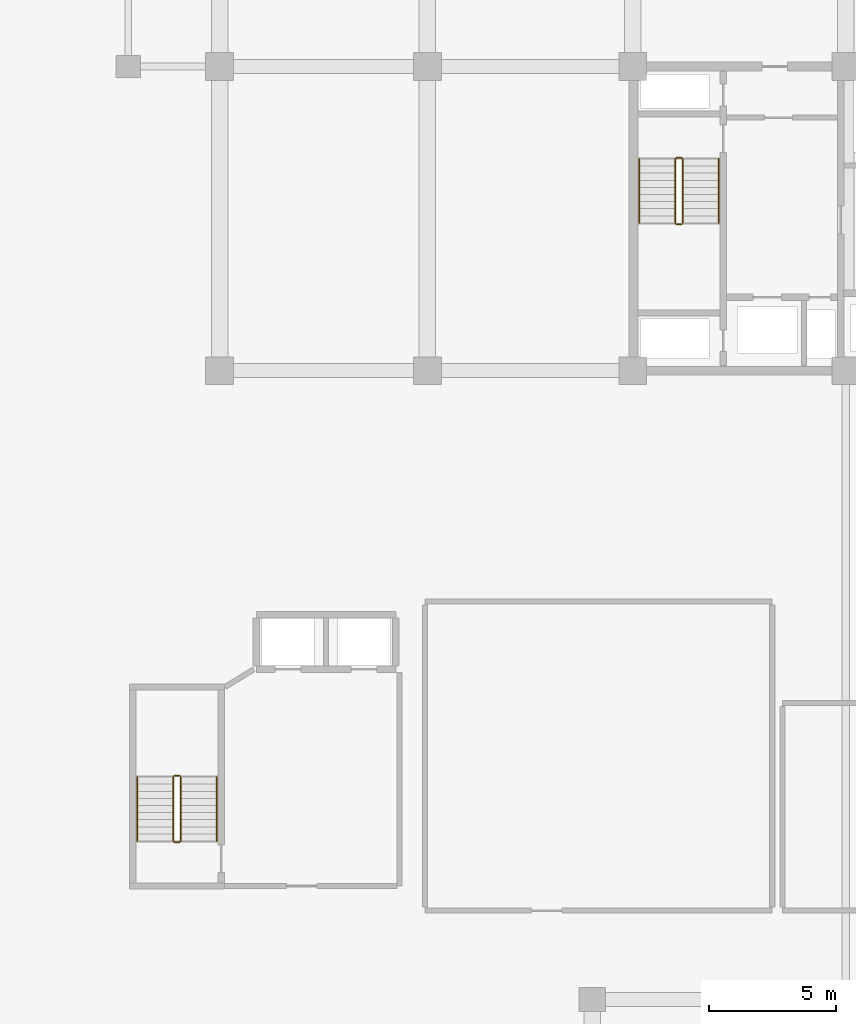
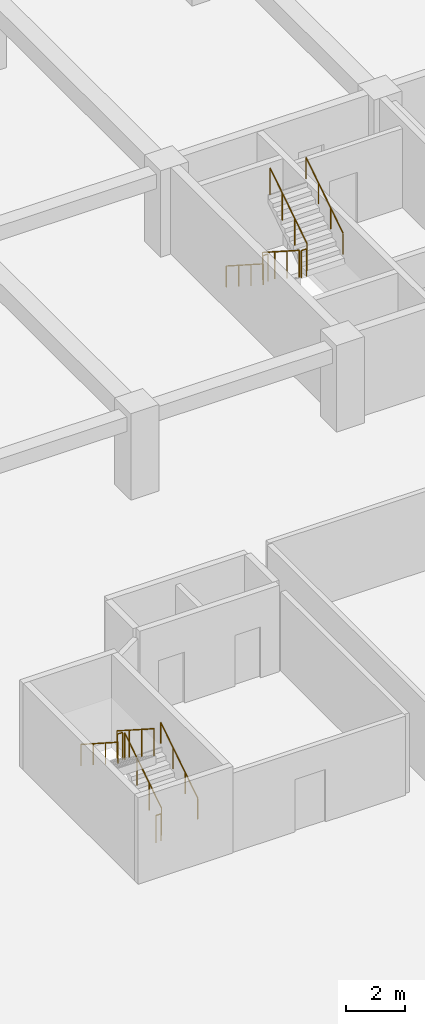
# One storey, part 18 of 23: 12 railings.
"""IFC4 building model written with IfcOpenShell, lengths in metres."""

from ifc_helpers import new_model, si_unit, direction, frame, origin, origin_2d, place, context, subcontext, project, spatial, circle, extrude, material, type_object, element, save


model = new_model("IFC4")

# Units and contexts
model_context = context("Model", 3, precision=1e-05, world=origin(), true_north=direction((0.0, 1.0)))
body_context = subcontext(model_context, "Body", "Model", "MODEL_VIEW")
ifc_project = project(units=[si_unit("LENGTHUNIT", "METRE"), si_unit("AREAUNIT", "SQUARE_METRE"), si_unit("VOLUMEUNIT", "CUBIC_METRE"), si_unit("PLANEANGLEUNIT", "RADIAN"), si_unit("MASSUNIT", "GRAM", prefix="KILO")], contexts=[model_context])

# Site, building, storey
site_placement = place(None, origin())
site = spatial("IfcSite", under=ifc_project, at=site_placement, CompositionType="ELEMENT")
building_placement = place(site_placement, origin())
building = spatial("IfcBuilding", under=site, at=building_placement, Name="Korimba Cascade Residences", CompositionType="ELEMENT")
storey_placement = place(building_placement, frame((0.0, 0.0, -3.60009765625)))
storey = spatial("IfcBuildingStorey", under=building, at=storey_placement, Name="B01", CompositionType="ELEMENT", Elevation=-3.60009765625)

# Railings
ifc_material_1 = material(Name="Painted Steel Stairwell Guardrail", Category="steel")
railing_type_1 = type_object("IfcRailingType", Name="RLG-ST-GD1150", PredefinedType="GUARDRAIL", material=ifc_material_1)
railing_1_placement = place(storey_placement, frame((77.77001953125, 63.550048828125, 0.18017578125)))
element("IfcRailing", 1, at=railing_1_placement, inside=storey, type_object=railing_type_1, Name="B01 ST-W1 stair guard 1", PredefinedType="GUARDRAIL", context=body_context, shape_type="SweptSolid", body=[
    extrude(circle(Radius=0.02392578125, at=origin_2d()), frame((0.0, 0.0, 1.1259765625), z_axis=(0.0, -0.841199657755, 0.540724639528), x_axis=(1.0, 0.0, 0.0)), (0.0, 0.0, 1.0), 2.995849609375),
    extrude(circle(Radius=0.02099609375, at=origin_2d()), origin(), (0.0, 0.0, 1.0), 1.101806640625),
    extrude(circle(Radius=0.02099609375, at=origin_2d()), frame((0.0, -0.840087890625, 0.5400390625)), (0.0, 0.0, 1.0), 1.101806640625),
    extrude(circle(Radius=0.02099609375, at=origin_2d()), frame((0.0, -1.679931640625, 1.079833984375)), (0.0, 0.0, 1.0), 1.101806640625),
    extrude(circle(Radius=0.02099609375, at=origin_2d()), frame((0.0, -2.52001953125, 1.619873046875)), (0.0, 0.0, 1.0), 1.101806640625),
])
railing_2_placement = place(storey_placement, frame((77.820068359375, 60.97998046875, 1.800048828125)))
element("IfcRailing", 2, at=railing_2_placement, inside=storey, type_object=railing_type_1, Name="B01 ST-W1 stair guard 2", PredefinedType="GUARDRAIL", context=body_context, shape_type="SweptSolid", body=[
    extrude(circle(Radius=0.02392578125, at=origin_2d()), frame((0.0, 0.0, 1.1259765625), z_axis=(1.0, 0.0, 0.0), x_axis=(0.0, 1.0, 0.0)), (0.0, 0.0, 1.0), 0.199951171875),
    extrude(circle(Radius=0.02099609375, at=origin_2d()), origin(), (0.0, 0.0, 1.0), 1.101806640625),
    extrude(circle(Radius=0.02099609375, at=origin_2d()), frame((0.199951171875, 0.0, 0.0)), (0.0, 0.0, 1.0), 1.101806640625),
])
railing_3_placement = place(storey_placement, frame((78.070068359375, 61.030029296875, 1.97998046875)))
element("IfcRailing", 3, at=railing_3_placement, inside=storey, type_object=railing_type_1, Name="B01 ST-W1 stair guard 3", PredefinedType="GUARDRAIL", context=body_context, shape_type="SweptSolid", body=[
    extrude(circle(Radius=0.02392578125, at=origin_2d()), frame((0.0, 0.0, 1.1259765625), z_axis=(0.0, 0.841162588446, 0.540782303519), x_axis=(-1.0, 0.0, 0.0)), (0.0, 0.0, 1.0), 2.995849609375),
    extrude(circle(Radius=0.02099609375, at=origin_2d()), origin(), (0.0, 0.0, 1.0), 1.101806640625),
    extrude(circle(Radius=0.02099609375, at=origin_2d()), frame((0.0, 0.840087890625, 0.5400390625)), (0.0, 0.0, 1.0), 1.101806640625),
    extrude(circle(Radius=0.02099609375, at=origin_2d()), frame((0.0, 1.679931640625, 1.080078125)), (0.0, 0.0, 1.0), 1.101806640625),
    extrude(circle(Radius=0.02099609375, at=origin_2d()), frame((0.0, 2.52001953125, 1.6201171875)), (0.0, 0.0, 1.0), 1.101806640625),
])
railing_4_placement = place(storey_placement, frame((77.820068359375, 63.60009765625, 0.0)))
element("IfcRailing", 4, at=railing_4_placement, inside=storey, type_object=railing_type_1, Name="B01 ST-W1 stair guard 4", PredefinedType="GUARDRAIL", context=body_context, shape_type="SweptSolid", body=[
    extrude(circle(Radius=0.02392578125, at=origin_2d()), frame((0.0, 0.0, 1.1259765625), z_axis=(1.0, 0.0, 0.0), x_axis=(0.0, 1.0, 0.0)), (0.0, 0.0, 1.0), 0.199951171875),
    extrude(circle(Radius=0.02099609375, at=origin_2d()), origin(), (0.0, 0.0, 1.0), 1.101806640625),
    extrude(circle(Radius=0.02099609375, at=origin_2d()), frame((0.199951171875, 0.0, 0.0)), (0.0, 0.0, 1.0), 1.101806640625),
])
railing_5_placement = place(storey_placement, frame((58.27001953125, 36.64990234375, 0.18017578125)))
element("IfcRailing", 5, at=railing_5_placement, inside=storey, type_object=railing_type_1, Name="B01 ST-P1 stair guard 1", PredefinedType="GUARDRAIL", context=body_context, shape_type="SweptSolid", body=[
    extrude(circle(Radius=0.02392578125, at=origin_2d()), frame((0.0, 0.0, 1.1259765625), z_axis=(0.0, 0.841199657755, 0.540724639528), x_axis=(-1.0, 0.0, 0.0)), (0.0, 0.0, 1.0), 2.995849609375),
    extrude(circle(Radius=0.02099609375, at=origin_2d()), origin(), (0.0, 0.0, 1.0), 1.101806640625),
    extrude(circle(Radius=0.02099609375, at=origin_2d()), frame((0.0, 0.840087890625, 0.5400390625)), (0.0, 0.0, 1.0), 1.101806640625),
    extrude(circle(Radius=0.02099609375, at=origin_2d()), frame((0.0, 1.679931640625, 1.079833984375)), (0.0, 0.0, 1.0), 1.101806640625),
    extrude(circle(Radius=0.02099609375, at=origin_2d()), frame((0.0, 2.52001953125, 1.619873046875)), (0.0, 0.0, 1.0), 1.101806640625),
])
railing_6_placement = place(storey_placement, frame((58.219970703125, 39.219970703125, 1.800048828125)))
element("IfcRailing", 6, at=railing_6_placement, inside=storey, type_object=railing_type_1, Name="B01 ST-P1 stair guard 2", PredefinedType="GUARDRAIL", context=body_context, shape_type="SweptSolid", body=[
    extrude(circle(Radius=0.02392578125, at=origin_2d()), frame((0.0, 0.0, 1.1259765625), z_axis=(-1.0, 0.0, 0.0), x_axis=(0.0, -1.0, 0.0)), (0.0, 0.0, 1.0), 0.199951171875),
    extrude(circle(Radius=0.02099609375, at=origin_2d()), origin(), (0.0, 0.0, 1.0), 1.101806640625),
    extrude(circle(Radius=0.02099609375, at=origin_2d()), frame((-0.199951171875, 0.0, 0.0)), (0.0, 0.0, 1.0), 1.101806640625),
])
railing_7_placement = place(storey_placement, frame((57.969970703125, 39.169921875, 1.97998046875)))
element("IfcRailing", 7, at=railing_7_placement, inside=storey, type_object=railing_type_1, Name="B01 ST-P1 stair guard 3", PredefinedType="GUARDRAIL", context=body_context, shape_type="SweptSolid", body=[
    extrude(circle(Radius=0.02392578125, at=origin_2d()), frame((0.0, 0.0, 1.1259765625), z_axis=(0.0, -0.841162588446, 0.540782303519), x_axis=(1.0, 0.0, 0.0)), (0.0, 0.0, 1.0), 2.995849609375),
    extrude(circle(Radius=0.02099609375, at=origin_2d()), origin(), (0.0, 0.0, 1.0), 1.101806640625),
    extrude(circle(Radius=0.02099609375, at=origin_2d()), frame((0.0, -0.840087890625, 0.5400390625)), (0.0, 0.0, 1.0), 1.101806640625),
    extrude(circle(Radius=0.02099609375, at=origin_2d()), frame((0.0, -1.679931640625, 1.080078125)), (0.0, 0.0, 1.0), 1.101806640625),
    extrude(circle(Radius=0.02099609375, at=origin_2d()), frame((0.0, -2.52001953125, 1.6201171875)), (0.0, 0.0, 1.0), 1.101806640625),
])
railing_8_placement = place(storey_placement, frame((58.219970703125, 36.60009765625, 0.0)))
element("IfcRailing", 8, at=railing_8_placement, inside=storey, type_object=railing_type_1, Name="B01 ST-P1 stair guard 4", PredefinedType="GUARDRAIL", context=body_context, shape_type="SweptSolid", body=[
    extrude(circle(Radius=0.02392578125, at=origin_2d()), frame((0.0, 0.0, 1.1259765625), z_axis=(-1.0, 0.0, 0.0), x_axis=(0.0, -1.0, 0.0)), (0.0, 0.0, 1.0), 0.199951171875),
    extrude(circle(Radius=0.02099609375, at=origin_2d()), origin(), (0.0, 0.0, 1.0), 1.101806640625),
    extrude(circle(Radius=0.02099609375, at=origin_2d()), frame((-0.199951171875, 0.0, 0.0)), (0.0, 0.0, 1.0), 1.101806640625),
])
ifc_material_2 = material(Name="Brushed Stainless Steel Handrail", Category="steel")
railing_type_2 = type_object("IfcRailingType", Name="RLG-ST-HR900", PredefinedType="HANDRAIL", material=ifc_material_2)
railing_9_placement = place(storey_placement, frame((76.35009765625, 63.550048828125, 0.364013671875)))
element("IfcRailing", 9, at=railing_9_placement, inside=storey, type_object=railing_type_2, Name="B01 ST-W1 stair handrail 1", PredefinedType="HANDRAIL", context=body_context, shape_type="SweptSolid", body=[
    extrude(circle(Radius=0.02392578125, at=origin_2d()), frame((0.0, 0.0, 0.8759765625), z_axis=(0.0, -0.841199657755, 0.540724639528), x_axis=(1.0, 0.0, 0.0)), (0.0, 0.0, 1.0), 2.995849609375),
    extrude(circle(Radius=0.02099609375, at=origin_2d()), origin(), (0.0, 0.0, 1.0), 0.851806640625),
    extrude(circle(Radius=0.02099609375, at=origin_2d()), frame((0.0, -0.840087890625, 0.5400390625)), (0.0, 0.0, 1.0), 0.851806640625),
    extrude(circle(Radius=0.02099609375, at=origin_2d()), frame((0.0, -1.679931640625, 1.079833984375)), (0.0, 0.0, 1.0), 0.851806640625),
    extrude(circle(Radius=0.02099609375, at=origin_2d()), frame((0.0, -2.52001953125, 1.619873046875)), (0.0, 0.0, 1.0), 0.851806640625),
])
railing_10_placement = place(storey_placement, frame((79.489990234375, 61.030029296875, 2.163818359375)))
element("IfcRailing", 10, at=railing_10_placement, inside=storey, type_object=railing_type_2, Name="B01 ST-W1 stair handrail 2", PredefinedType="HANDRAIL", context=body_context, shape_type="SweptSolid", body=[
    extrude(circle(Radius=0.02392578125, at=origin_2d()), frame((0.0, 0.0, 0.8759765625), z_axis=(0.0, 0.841162588446, 0.540782303519), x_axis=(-1.0, 0.0, 0.0)), (0.0, 0.0, 1.0), 2.995849609375),
    extrude(circle(Radius=0.02099609375, at=origin_2d()), origin(), (0.0, 0.0, 1.0), 0.851806640625),
    extrude(circle(Radius=0.02099609375, at=origin_2d()), frame((0.0, 0.840087890625, 0.5400390625)), (0.0, 0.0, 1.0), 0.851806640625),
    extrude(circle(Radius=0.02099609375, at=origin_2d()), frame((0.0, 1.679931640625, 1.080078125)), (0.0, 0.0, 1.0), 0.851806640625),
    extrude(circle(Radius=0.02099609375, at=origin_2d()), frame((0.0, 2.52001953125, 1.6201171875)), (0.0, 0.0, 1.0), 0.851806640625),
])
railing_11_placement = place(storey_placement, frame((59.68994140625, 36.64990234375, 0.364013671875)))
element("IfcRailing", 11, at=railing_11_placement, inside=storey, type_object=railing_type_2, Name="B01 ST-P1 stair handrail 1", PredefinedType="HANDRAIL", context=body_context, shape_type="SweptSolid", body=[
    extrude(circle(Radius=0.02392578125, at=origin_2d()), frame((0.0, 0.0, 0.8759765625), z_axis=(0.0, 0.841199657755, 0.540724639528), x_axis=(-1.0, 0.0, 0.0)), (0.0, 0.0, 1.0), 2.995849609375),
    extrude(circle(Radius=0.02099609375, at=origin_2d()), origin(), (0.0, 0.0, 1.0), 0.851806640625),
    extrude(circle(Radius=0.02099609375, at=origin_2d()), frame((0.0, 0.840087890625, 0.5400390625)), (0.0, 0.0, 1.0), 0.851806640625),
    extrude(circle(Radius=0.02099609375, at=origin_2d()), frame((0.0, 1.679931640625, 1.079833984375)), (0.0, 0.0, 1.0), 0.851806640625),
    extrude(circle(Radius=0.02099609375, at=origin_2d()), frame((0.0, 2.52001953125, 1.619873046875)), (0.0, 0.0, 1.0), 0.851806640625),
])
railing_12_placement = place(storey_placement, frame((56.550048828125, 39.169921875, 2.163818359375)))
element("IfcRailing", 12, at=railing_12_placement, inside=storey, type_object=railing_type_2, Name="B01 ST-P1 stair handrail 2", PredefinedType="HANDRAIL", context=body_context, shape_type="SweptSolid", body=[
    extrude(circle(Radius=0.02392578125, at=origin_2d()), frame((0.0, 0.0, 0.8759765625), z_axis=(0.0, -0.841162588446, 0.540782303519), x_axis=(1.0, 0.0, 0.0)), (0.0, 0.0, 1.0), 2.995849609375),
    extrude(circle(Radius=0.02099609375, at=origin_2d()), origin(), (0.0, 0.0, 1.0), 0.851806640625),
    extrude(circle(Radius=0.02099609375, at=origin_2d()), frame((0.0, -0.840087890625, 0.5400390625)), (0.0, 0.0, 1.0), 0.851806640625),
    extrude(circle(Radius=0.02099609375, at=origin_2d()), frame((0.0, -1.679931640625, 1.080078125)), (0.0, 0.0, 1.0), 0.851806640625),
    extrude(circle(Radius=0.02099609375, at=origin_2d()), frame((0.0, -2.52001953125, 1.6201171875)), (0.0, 0.0, 1.0), 0.851806640625),
])

save(model, "model.ifc")
